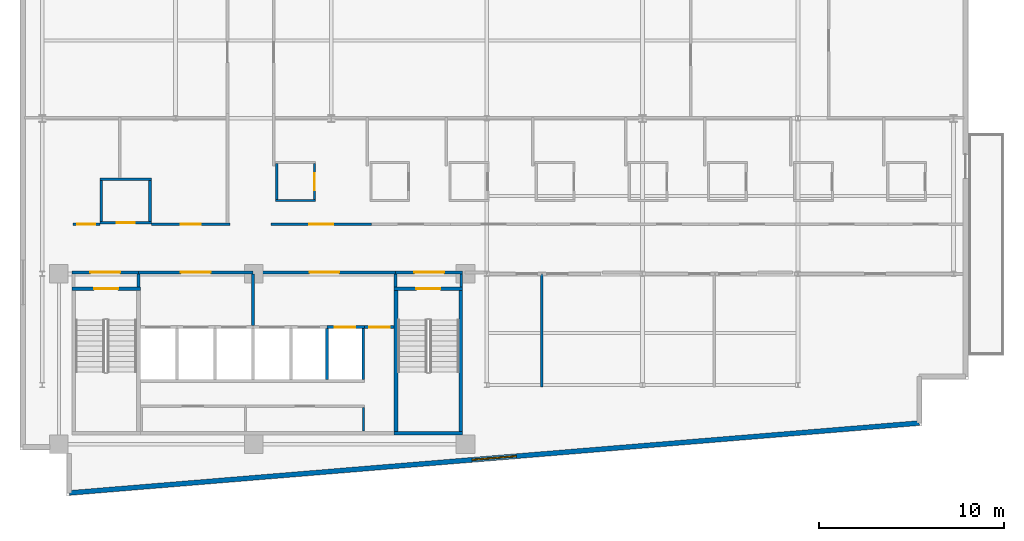
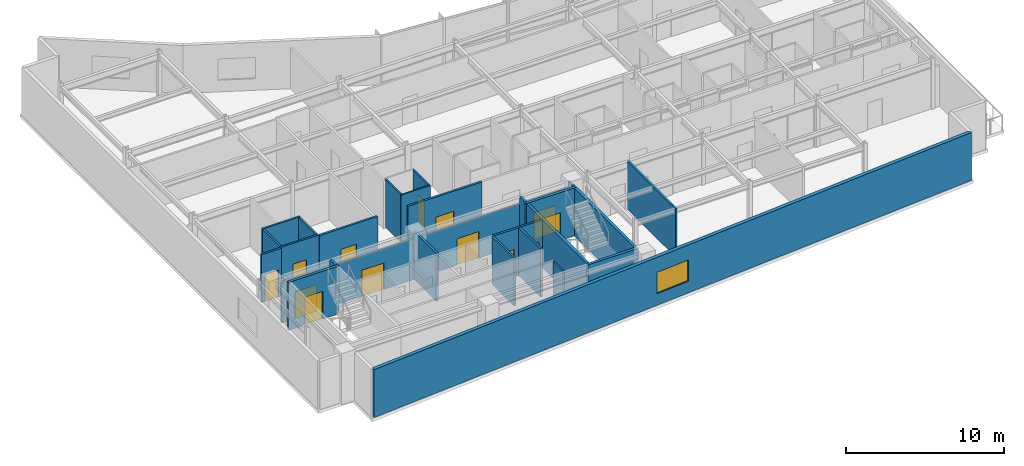
# One storey, part 9 of 15: 30 walls, 13 doors, 1 window, 14 openings.
"""IFC4 building model written with IfcOpenShell, lengths in metres."""

from ifc_helpers import new_model, si_unit, direction, frame, frame_2d, origin, place, context, subcontext, project, spatial, rectangle, extrude, material, layer, layer_set, type_object, element, fill, save


model = new_model("IFC4")

# Units and contexts
model_context = context("Model", 3, precision=1e-05, world=origin(), true_north=direction((0.0, 1.0)))
body_context = subcontext(model_context, "Body", "Model", "MODEL_VIEW")
ifc_project = project(units=[si_unit("LENGTHUNIT", "METRE"), si_unit("AREAUNIT", "SQUARE_METRE"), si_unit("VOLUMEUNIT", "CUBIC_METRE"), si_unit("PLANEANGLEUNIT", "RADIAN"), si_unit("MASSUNIT", "GRAM", prefix="KILO")], contexts=[model_context])

# Site, building, storey
site_placement = place(None, origin())
site = spatial("IfcSite", under=ifc_project, at=site_placement, CompositionType="ELEMENT")
building_placement = place(site_placement, origin())
building = spatial("IfcBuilding", under=site, at=building_placement, Name="Varnakote Quay Hospital", CompositionType="ELEMENT")
storey_placement = place(building_placement, frame((0.0, 0.0, 192.10009765625)))
storey = spatial("IfcBuildingStorey", under=building, at=storey_placement, Name="L47", CompositionType="ELEMENT", Elevation=192.10009765625)

# Wall, opening, door
ifc_material_1 = material(Name="Fire-rated acoustic gypsum stud wall", Category="gypsum")
ifc_layer_1 = layer(ifc_material_1, 0.159912109375)
ifc_layer_set_1 = layer_set([ifc_layer_1], Name="Fire-rated acoustic gypsum stud wall")
wall_type_1 = type_object("IfcWallType", Name="WL-COMP-160", PredefinedType="PARTITIONING", material=ifc_layer_set_1)
wall_1_placement = place(storey_placement, frame((2.800048828125, 12.080078125, 0.0), z_axis=(0.0, 0.0, 1.0), x_axis=(1.0, 0.0, 0.0)))
wall_1 = element("IfcWall", 1, at=wall_1_placement, inside=storey, type_object=wall_type_1, Name="L47 West Stair Vestibule Smoke Wall", PredefinedType="PARTITIONING", context=body_context, shape_type="SweptSolid", body=[
    extrude(rectangle(XDim=3.599853515625, YDim=0.159912109375, at=frame_2d((1.7998046875, 0.0))), origin(), (0.0, 0.0, 1.0), 3.15185546875),
])
opening_1_placement = place(wall_1_placement, frame((1.0, 0.0, 0.0)))
opening_1 = element("IfcOpeningElement", 2, at=opening_1_placement, cuts=wall_1, Name="Opening D-ST1L-L47", PredefinedType="OPENING", context=body_context, shape_type="SweptSolid", body=[
    extrude(rectangle(XDim=1.60009765625, YDim=2.050048828125, at=frame_2d((0.800048828125, 1.02490234375))), frame((0.0, 0.08984375, 0.0), z_axis=(0.0, -1.0, 0.0), x_axis=(1.0, 0.0, 0.0)), (0.0, 0.0, 1.0), 0.179931640625),
])
ifc_material_2 = material(Name="Fire-rated double smoke lobby door")
door_type_1 = type_object("IfcDoorType", Name="DR-LOBBY-FD60S-1600x2150", OperationType="NOTDEFINED", PredefinedType="DOOR", material=ifc_material_2)
door_1_placement = place(opening_1_placement, origin())
door_1 = element("IfcDoor", 3, at=door_1_placement, inside=storey, type_object=door_type_1, Name="L47 West Stair Vestibule Smoke Door", OperationType="DOUBLE_DOOR_SINGLE_SWING", OverallHeight=2.050048828125, OverallWidth=1.60009765625, PredefinedType="DOOR", context=body_context, shape_type="SweptSolid", body=[
    extrude(rectangle(XDim=1.60009765625, YDim=2.050048828125, at=frame_2d((0.800048828125, 1.02490234375))), frame((0.0, 0.02490234375, 0.0), z_axis=(0.0, -1.0, 0.0), x_axis=(1.0, 0.0, 0.0)), (0.0, 0.0, 1.0), 0.050048828125),
])
fill(opening_1, door_1)

# Wall
wall_2_placement = place(storey_placement, frame((6.39990234375, 11.300048828125, 0.0), z_axis=(0.0, 0.0, 1.0), x_axis=(0.0, 1.0, 0.0)))
element("IfcWall", 4, at=wall_2_placement, inside=storey, type_object=wall_type_1, Name="L47 Firefighting Lobby West Wall", PredefinedType="PARTITIONING", context=body_context, shape_type="SweptSolid", body=[
    extrude(rectangle(XDim=0.699951171875, YDim=0.159912109375, at=frame_2d((0.35009765625, 0.0))), origin(), (0.0, 0.0, 1.0), 3.7099609375),
])

# Wall, opening, door
wall_3_placement = place(storey_placement, frame((6.39990234375, 12.080078125, 0.0), z_axis=(0.0, 0.0, 1.0), x_axis=(1.0, 0.0, 0.0)))
wall_3 = element("IfcWall", 5, at=wall_3_placement, inside=storey, type_object=wall_type_1, Name="L47 Firefighting Lift Lobby Compartment Wall", PredefinedType="PARTITIONING", context=body_context, shape_type="SweptSolid", body=[
    extrude(rectangle(XDim=6.18017578125, YDim=0.159912109375, at=frame_2d((3.090087890625, 0.0))), origin(), (0.0, 0.0, 1.0), 3.15185546875),
])
opening_2_placement = place(wall_3_placement, frame((2.2900390625, 0.0, 0.0)))
opening_2 = element("IfcOpeningElement", 6, at=opening_2_placement, cuts=wall_3, Name="Opening D-FFL-L47", PredefinedType="OPENING", context=body_context, shape_type="SweptSolid", body=[
    extrude(rectangle(XDim=1.60009765625, YDim=2.050048828125, at=frame_2d((0.800048828125, 1.02490234375))), frame((0.0, 0.08984375, 0.0), z_axis=(0.0, -1.0, 0.0), x_axis=(1.0, 0.0, 0.0)), (0.0, 0.0, 1.0), 0.179931640625),
])
door_2_placement = place(opening_2_placement, origin())
door_2 = element("IfcDoor", 7, at=door_2_placement, inside=storey, type_object=door_type_1, Name="L47 Firefighting Smoke Vestibule Door", OperationType="DOUBLE_DOOR_SINGLE_SWING", OverallHeight=2.050048828125, OverallWidth=1.60009765625, PredefinedType="DOOR", context=body_context, shape_type="SweptSolid", body=[
    extrude(rectangle(XDim=1.60009765625, YDim=2.050048828125, at=frame_2d((0.800048828125, 1.02490234375))), frame((0.0, 0.02490234375, 0.0), z_axis=(0.0, -1.0, 0.0), x_axis=(1.0, 0.0, 0.0)), (0.0, 0.0, 1.0), 0.050048828125),
])
fill(opening_2, door_2)

# Wall
wall_4_placement = place(storey_placement, frame((12.580078125, 9.2099609375, 0.0), z_axis=(0.0, 0.0, 1.0), x_axis=(0.0, 1.0, 0.0)))
element("IfcWall", 8, at=wall_4_placement, inside=storey, type_object=wall_type_1, Name="L47 Firefighting to Service Lobby Wall", PredefinedType="PARTITIONING", context=body_context, shape_type="SweptSolid", body=[
    extrude(rectangle(XDim=2.7900390625, YDim=0.159912109375, at=frame_2d((1.39501953125, 0.0))), origin(), (0.0, 0.0, 1.0), 3.7099609375),
])

# Wall, opening, door
wall_5_placement = place(storey_placement, frame((12.580078125, 12.080078125, 0.0), z_axis=(0.0, 0.0, 1.0), x_axis=(1.0, 0.0, 0.0)))
wall_5 = element("IfcWall", 9, at=wall_5_placement, inside=storey, type_object=wall_type_1, Name="L47 Clinical Bed Lift Lobby Wall", PredefinedType="PARTITIONING", context=body_context, shape_type="SweptSolid", body=[
    extrude(rectangle(XDim=7.699951171875, YDim=0.159912109375, at=frame_2d((3.85009765625, 0.0))), origin(), (0.0, 0.0, 1.0), 3.15185546875),
])
opening_3_placement = place(wall_5_placement, frame((3.050048828125, 0.0, 0.0)))
opening_3 = element("IfcOpeningElement", 10, at=opening_3_placement, cuts=wall_5, Name="Opening D-SVL-L47", PredefinedType="OPENING", context=body_context, shape_type="SweptSolid", body=[
    extrude(rectangle(XDim=1.60009765625, YDim=2.050048828125, at=frame_2d((0.800048828125, 1.02490234375))), frame((0.0, 0.08984375, 0.0), z_axis=(0.0, -1.0, 0.0), x_axis=(1.0, 0.0, 0.0)), (0.0, 0.0, 1.0), 0.179931640625),
])
door_3_placement = place(opening_3_placement, origin())
door_3 = element("IfcDoor", 11, at=door_3_placement, inside=storey, type_object=door_type_1, Name="L47 Clinical Core Smoke Vestibule Door", OperationType="DOUBLE_DOOR_SINGLE_SWING", OverallHeight=2.050048828125, OverallWidth=1.60009765625, PredefinedType="DOOR", context=body_context, shape_type="SweptSolid", body=[
    extrude(rectangle(XDim=1.60009765625, YDim=2.050048828125, at=frame_2d((0.800048828125, 1.02490234375))), frame((0.0, 0.02490234375, 0.0), z_axis=(0.0, -1.0, 0.0), x_axis=(1.0, 0.0, 0.0)), (0.0, 0.0, 1.0), 0.050048828125),
])
fill(opening_3, door_3)

# Wall
wall_6_placement = place(storey_placement, frame((20.280029296875, 11.300048828125, 0.0), z_axis=(0.0, 0.0, 1.0), x_axis=(0.0, 1.0, 0.0)))
element("IfcWall", 12, at=wall_6_placement, inside=storey, type_object=wall_type_1, Name="L47 East Stair Vestibule Divider Wall", PredefinedType="PARTITIONING", context=body_context, shape_type="SweptSolid", body=[
    extrude(rectangle(XDim=0.699951171875, YDim=0.159912109375, at=frame_2d((0.35009765625, 0.0))), origin(), (0.0, 0.0, 1.0), 3.7099609375),
])

# Wall, opening, door
wall_7_placement = place(storey_placement, frame((20.280029296875, 12.080078125, 0.0), z_axis=(0.0, 0.0, 1.0), x_axis=(1.0, 0.0, 0.0)))
wall_7 = element("IfcWall", 13, at=wall_7_placement, inside=storey, type_object=wall_type_1, Name="L47 East Stair Vestibule Smoke Wall", PredefinedType="PARTITIONING", context=body_context, shape_type="SweptSolid", body=[
    extrude(rectangle(XDim=3.619873046875, YDim=0.159912109375, at=frame_2d((1.81005859375, 0.0))), origin(), (0.0, 0.0, 1.0), 3.15185546875),
])
opening_4_placement = place(wall_7_placement, frame((1.010009765625, 0.0, 0.0)))
opening_4 = element("IfcOpeningElement", 14, at=opening_4_placement, cuts=wall_7, Name="Opening D-ST2L-L47", PredefinedType="OPENING", context=body_context, shape_type="SweptSolid", body=[
    extrude(rectangle(XDim=1.60009765625, YDim=2.050048828125, at=frame_2d((0.800048828125, 1.02490234375))), frame((0.0, 0.08984375, 0.0), z_axis=(0.0, -1.0, 0.0), x_axis=(1.0, 0.0, 0.0)), (0.0, 0.0, 1.0), 0.179931640625),
])
door_4_placement = place(opening_4_placement, origin())
door_4 = element("IfcDoor", 15, at=door_4_placement, inside=storey, type_object=door_type_1, Name="L47 East Stair Vestibule Smoke Door", OperationType="DOUBLE_DOOR_SINGLE_SWING", OverallHeight=2.050048828125, OverallWidth=1.60009765625, PredefinedType="DOOR", context=body_context, shape_type="SweptSolid", body=[
    extrude(rectangle(XDim=1.60009765625, YDim=2.050048828125, at=frame_2d((0.800048828125, 1.02490234375))), frame((0.0, 0.02490234375, 0.0), z_axis=(0.0, -1.0, 0.0), x_axis=(1.0, 0.0, 0.0)), (0.0, 0.0, 1.0), 0.050048828125),
])
fill(opening_4, door_4)

# Walls
wall_8_placement = place(storey_placement, frame((23.820068359375, 11.300048828125, 0.0), z_axis=(0.0, 0.0, 1.0), x_axis=(0.0, 1.0, 0.0)))
element("IfcWall", 16, at=wall_8_placement, inside=storey, type_object=wall_type_1, Name="L47 East Stair Vestibule East Wall", PredefinedType="PARTITIONING", context=body_context, shape_type="SweptSolid", body=[
    extrude(rectangle(XDim=0.699951171875, YDim=0.159912109375, at=frame_2d((0.35009765625, 0.0))), origin(), (0.0, 0.0, 1.0), 3.7099609375),
])
ifc_material_3 = material(Name="Moisture-resistant bathroom partition", Category="gypsum")
ifc_layer_2 = layer(ifc_material_3, 0.114990234375)
ifc_layer_set_2 = layer_set([ifc_layer_2], Name="Moisture-resistant bathroom partition")
wall_type_2 = type_object("IfcWallType", Name="WL-ENS-115", PredefinedType="PARTITIONING", material=ifc_layer_set_2)
wall_9_placement = place(storey_placement, frame((13.804931640625, 15.952392578125, 0.0), z_axis=(0.0, 0.0, 1.0), x_axis=(1.0, 0.0, 0.0)))
element("IfcWall", 17, at=wall_9_placement, inside=storey, type_object=wall_type_2, Name="L47 Inpatient En-Suite Bathroom 01 S Wall", PredefinedType="PARTITIONING", context=body_context, shape_type="SweptSolid", body=[
    extrude(rectangle(XDim=2.150146484375, YDim=0.114990234375, at=frame_2d((1.0751953125, 0.0))), origin(), (0.0, 0.0, 1.0), 3.7099609375),
])
wall_10_placement = place(storey_placement, frame((13.862548828125, 16.010009765625, 0.0), z_axis=(0.0, 0.0, 1.0), x_axis=(0.0, 1.0, 0.0)))
element("IfcWall", 18, at=wall_10_placement, inside=storey, type_object=wall_type_2, Name="L47 Inpatient En-Suite Bathroom 01 W Wall", PredefinedType="PARTITIONING", context=body_context, shape_type="SweptSolid", body=[
    extrude(rectangle(XDim=1.949951171875, YDim=0.114990234375, at=frame_2d((0.97509765625, 0.0))), origin(), (0.0, 0.0, 1.0), 3.7099609375),
])

# Wall, opening, door
wall_11_placement = place(storey_placement, frame((15.8974609375, 16.010009765625, 0.0), z_axis=(0.0, 0.0, 1.0), x_axis=(0.0, 1.0, 0.0)))
wall_11 = element("IfcWall", 19, at=wall_11_placement, inside=storey, type_object=wall_type_2, Name="L47 Inpatient En-Suite Bathroom 01 E Wall", PredefinedType="PARTITIONING", context=body_context, shape_type="SweptSolid", body=[
    extrude(rectangle(XDim=1.949951171875, YDim=0.114990234375, at=frame_2d((0.97509765625, 0.0))), origin(), (0.0, 0.0, 1.0), 3.7099609375),
])
opening_5_placement = place(wall_11_placement, frame((0.514892578125, 0.0, 0.0)))
opening_5 = element("IfcOpeningElement", 20, at=opening_5_placement, cuts=wall_11, Name="Opening D-L47-ENS01", PredefinedType="OPENING", context=body_context, shape_type="SweptSolid", body=[
    extrude(rectangle(XDim=0.919921875, YDim=2.10009765625, at=frame_2d((0.4599609375, 1.050048828125))), frame((0.0, 0.0673828125, 0.0), z_axis=(0.0, -1.0, 0.0), x_axis=(1.0, 0.0, 0.0)), (0.0, 0.0, 1.0), 0.135009765625),
])
ifc_material_4 = material(Name="Moisture-sealed en-suite bathroom door")
door_type_2 = type_object("IfcDoorType", Name="DR-ENS-920x2100", OperationType="NOTDEFINED", PredefinedType="DOOR", material=ifc_material_4)
door_5_placement = place(opening_5_placement, origin())
door_5 = element("IfcDoor", 21, at=door_5_placement, inside=storey, type_object=door_type_2, Name="L47 Inpatient En-Suite Bathroom 01 Door", OperationType="SINGLE_SWING_RIGHT", OverallHeight=2.10009765625, OverallWidth=0.919921875, PredefinedType="DOOR", context=body_context, shape_type="SweptSolid", body=[
    extrude(rectangle(XDim=0.919921875, YDim=2.10009765625, at=frame_2d((0.4599609375, 1.050048828125))), frame((0.0, 0.02490234375, 0.0), z_axis=(0.0, -1.0, 0.0), x_axis=(1.0, 0.0, 0.0)), (0.0, 0.0, 1.0), 0.050048828125),
])
fill(opening_5, door_5)

# Wall, opening, window
ifc_material_5 = material(Name="Precast concrete N50 (f'c 50 MPa)", Category="concrete")
ifc_layer_3 = layer(ifc_material_5, 0.260009765625)
ifc_layer_set_3 = layer_set([ifc_layer_3], Name="Precast concrete N50 (f'c 50 MPa)")
wall_type_3 = type_object("IfcWallType", Name="WL-EXT-BRICK-260", PredefinedType="STANDARD", material=ifc_layer_set_3)
wall_12_placement = place(storey_placement, frame((2.659912109375, 0.173583984375, 0.0), z_axis=(0.0, 0.0, 1.0), x_axis=(0.996634028439, 0.081979347142, 0.0)))
wall_12 = element("IfcWall", 22, at=wall_12_placement, inside=storey, type_object=wall_type_3, Name="L47 Brick-Faced Precast Exterior Wall", PredefinedType="STANDARD", context=body_context, shape_type="SweptSolid", body=[
    extrude(rectangle(XDim=46.03515625, YDim=0.260009765625, at=frame_2d((23.017578125, 0.0))), origin(), (0.0, 0.0, 1.0), 3.7099609375),
])
opening_6_placement = place(wall_12_placement, frame((21.8173828125, 0.0, 0.89990234375)))
opening_6 = element("IfcOpeningElement", 23, at=opening_6_placement, cuts=wall_12, Name="Opening WN-0194", PredefinedType="OPENING", context=body_context, shape_type="SweptSolid", body=[
    extrude(rectangle(XDim=2.39990234375, YDim=1.64990234375, at=frame_2d((1.199951171875, 0.824951171875))), frame((0.0, 0.139892578125, 0.0), z_axis=(0.0, -1.0, 0.0), x_axis=(1.0, 0.0, 0.0)), (0.0, 0.0, 1.0), 0.280029296875),
])
ifc_material_6 = material(Name="Double-glazed low-E solar glass", Category="glass")
window_type = type_object("IfcWindowType", Name="WIN-CLIN-2400x1650", PartitioningType="SINGLE_PANEL", PredefinedType="WINDOW", material=ifc_material_6)
window_placement = place(opening_6_placement, origin())
window = element("IfcWindow", 24, at=window_placement, inside=storey, type_object=window_type, Name="L47 Solar-Control Clinical Window", OverallHeight=1.64990234375, OverallWidth=2.39990234375, PartitioningType="SINGLE_PANEL", PredefinedType="WINDOW", context=body_context, shape_type="SweptSolid", body=[
    extrude(rectangle(XDim=2.39990234375, YDim=1.64990234375, at=frame_2d((1.199951171875, 0.824951171875))), frame((0.0, 0.030029296875, 0.0), z_axis=(0.0, -1.0, 0.0), x_axis=(1.0, 0.0, 0.0)), (0.0, 0.0, 1.0), 0.06005859375),
])
fill(opening_6, window)

# Walls
ifc_material_7 = material(Name="Concrete N50 (f'c 50 MPa)", Category="concrete")
ifc_layer_4 = layer(ifc_material_7, 0.14990234375)
ifc_layer_set_4 = layer_set([ifc_layer_4], Name="Concrete N50 (f'c 50 MPa)")
wall_type_4 = type_object("IfcWallType", Name="WL-SHAFT-N50-150", PredefinedType="SHEAR", material=ifc_layer_set_4)
wall_13_placement = place(storey_placement, frame((16.574951171875, 6.300048828125, 0.0), z_axis=(0.0, 0.0, 1.0), x_axis=(0.0, 1.0, 0.0)))
element("IfcWall", 25, at=wall_13_placement, inside=storey, type_object=wall_type_4, Name="L47 LF-PH1 Hoistway Divider Wall", PredefinedType="SHEAR", context=body_context, shape_type="SweptSolid", body=[
    extrude(rectangle(XDim=2.75, YDim=0.14990234375, at=frame_2d((1.375, 0.0))), origin(), (0.0, 0.0, 1.0), 3.7099609375),
])
ifc_material_8 = material(Name="Concrete N50 (f'c 50 MPa)", Category="concrete")
ifc_layer_5 = layer(ifc_material_8, 0.159912109375)
ifc_layer_set_5 = layer_set([ifc_layer_5], Name="Concrete N50 (f'c 50 MPa)")
wall_type_5 = type_object("IfcWallType", Name="WL-SHAFT-N50-160", PredefinedType="SHEAR", material=ifc_layer_set_5)
wall_14_placement = place(storey_placement, frame((18.530029296875, 6.300048828125, 0.0), z_axis=(0.0, 0.0, 1.0), x_axis=(0.0, 1.0, 0.0)))
element("IfcWall", 26, at=wall_14_placement, inside=storey, type_object=wall_type_5, Name="L47 REAR Lift Bank East Shear Wall", PredefinedType="SHEAR", context=body_context, shape_type="SweptSolid", body=[
    extrude(rectangle(XDim=2.75, YDim=0.159912109375, at=frame_2d((1.375, 0.0))), origin(), (0.0, 0.0, 1.0), 3.7099609375),
])

# Wall, opening, door
wall_15_placement = place(storey_placement, frame((16.574951171875, 9.1298828125, 0.0), z_axis=(0.0, 0.0, 1.0), x_axis=(1.0, 0.0, 0.0)))
wall_15 = element("IfcWall", 27, at=wall_15_placement, inside=storey, type_object=wall_type_5, Name="L47 LF-PH2 Hoistway Front Wall", PredefinedType="SHEAR", context=body_context, shape_type="SweptSolid", body=[
    extrude(rectangle(XDim=2.03515625, YDim=0.159912109375, at=frame_2d((1.017578125, 0.0))), origin(), (0.0, 0.0, 1.0), 3.7099609375),
])
opening_7_placement = place(wall_15_placement, frame((0.425048828125, 0.0, 0.0)))
opening_7 = element("IfcOpeningElement", 28, at=opening_7_placement, cuts=wall_15, Name="Opening LD-PH2-L47", PredefinedType="OPENING", context=body_context, shape_type="SweptSolid", body=[
    extrude(rectangle(XDim=1.10009765625, YDim=2.14990234375, at=frame_2d((0.550048828125, 1.074951171875))), frame((0.0, 0.08984375, 0.0), z_axis=(0.0, -1.0, 0.0), x_axis=(1.0, 0.0, 0.0)), (0.0, 0.0, 1.0), 0.179931640625),
])
ifc_material_9 = material(Name="Brushed bronze lift landing sliding door")
door_type_3 = type_object("IfcDoorType", Name="DR-LIFT-LD-1100x2150", OperationType="NOTDEFINED", PredefinedType="DOOR", material=ifc_material_9)
door_6_placement = place(opening_7_placement, origin())
door_6 = element("IfcDoor", 29, at=door_6_placement, inside=storey, type_object=door_type_3, Name="L47 LF-PH2 Lift Landing Sliding Door", OperationType="SLIDING_TO_LEFT", OverallHeight=2.14990234375, OverallWidth=1.10009765625, PredefinedType="DOOR", context=body_context, shape_type="SweptSolid", body=[
    extrude(rectangle(XDim=1.10009765625, YDim=2.14990234375, at=frame_2d((0.550048828125, 1.074951171875))), frame((0.0, 0.02490234375, 0.0), z_axis=(0.0, -1.0, 0.0), x_axis=(1.0, 0.0, 0.0)), (0.0, 0.0, 1.0), 0.050048828125),
])
fill(opening_7, door_6)

ifc_material_10 = material(Name="Concrete N50 (f'c 50 MPa)", Category="concrete")
ifc_layer_6 = layer(ifc_material_10, 0.199951171875)
ifc_layer_set_6 = layer_set([ifc_layer_6], Name="Concrete N50 (f'c 50 MPa)")
wall_type_6 = type_object("IfcWallType", Name="WL-SHAFT-N50-200", PredefinedType="SHEAR", material=ifc_layer_set_6)
wall_16_placement = place(storey_placement, frame((2.800048828125, 11.199951171875, 0.0), z_axis=(0.0, 0.0, 1.0), x_axis=(1.0, 0.0, 0.0)))
wall_16 = element("IfcWall", 30, at=wall_16_placement, inside=storey, type_object=wall_type_6, Name="L47 Stair ST1 Exit Wall", PredefinedType="SHEAR", context=body_context, shape_type="SweptSolid", body=[
    extrude(rectangle(XDim=3.699951171875, YDim=0.199951171875, at=frame_2d((1.85009765625, 0.0))), origin(), (0.0, 0.0, 1.0), 3.7099609375),
])
opening_8_placement = place(wall_16_placement, frame((1.199951171875, 0.0, 0.0)))
opening_8 = element("IfcOpeningElement", 31, at=opening_8_placement, cuts=wall_16, Name="Opening D-ST1-L47", PredefinedType="OPENING", context=body_context, shape_type="SweptSolid", body=[
    extrude(rectangle(XDim=1.300048828125, YDim=2.14990234375, at=frame_2d((0.64990234375, 1.074951171875))), frame((0.0, 0.10986328125, 0.0), z_axis=(0.0, -1.0, 0.0), x_axis=(1.0, 0.0, 0.0)), (0.0, 0.0, 1.0), 0.219970703125),
])
ifc_material_11 = material(Name="Fire-rated ceramic-glazed timber exit door", Category="wood")
door_type_4 = type_object("IfcDoorType", Name="DR-STAIR-FD60S-1300x2150", OperationType="NOTDEFINED", PredefinedType="DOOR", material=ifc_material_11)
door_7_placement = place(opening_8_placement, origin())
door_7 = element("IfcDoor", 32, at=door_7_placement, inside=storey, type_object=door_type_4, Name="L47 Stair ST1 Fire Exit Door", OperationType="SINGLE_SWING_RIGHT", OverallHeight=2.14990234375, OverallWidth=1.300048828125, PredefinedType="DOOR", context=body_context, shape_type="SweptSolid", body=[
    extrude(rectangle(XDim=1.300048828125, YDim=2.14990234375, at=frame_2d((0.64990234375, 1.074951171875))), frame((0.0, 0.02490234375, 0.0), z_axis=(0.0, -1.0, 0.0), x_axis=(1.0, 0.0, 0.0)), (0.0, 0.0, 1.0), 0.050048828125),
])
fill(opening_8, door_7)

# Walls
wall_17_placement = place(storey_placement, frame((20.199951171875, 3.39990234375, 0.0), z_axis=(0.0, 0.0, 1.0), x_axis=(1.0, 0.0, 0.0)))
element("IfcWall", 33, at=wall_17_placement, inside=storey, type_object=wall_type_6, Name="L47 Stair ST2 South Shaft Wall", PredefinedType="SHEAR", context=body_context, shape_type="SweptSolid", body=[
    extrude(rectangle(XDim=3.699951171875, YDim=0.199951171875, at=frame_2d((1.85009765625, 0.0))), origin(), (0.0, 0.0, 1.0), 3.7099609375),
])
for number, where, z_axis, x_axis, name in (
    (34, (20.300048828125, 3.5, 0.0), (0.0, 0.0, 1.0), (0.0, 1.0, 0.0), "L47 Stair ST2 West Shaft Wall"),
    (35, (23.800048828125, 3.5, 0.0), (0.0, 0.0, 1.0), (0.0, 1.0, 0.0), "L47 Stair ST2 East Shaft Wall"),
):
    element("IfcWall", number, at=place(storey_placement, frame(where, z_axis=z_axis, x_axis=x_axis)), inside=storey, type_object=wall_type_6, Name=name, PredefinedType="SHEAR", context=body_context, shape_type="SweptSolid", body=[
        extrude(rectangle(XDim=7.60009765625, YDim=0.199951171875, at=frame_2d((3.800048828125, 0.0))), origin(), (0.0, 0.0, 1.0), 3.7099609375),
    ])

# Wall, opening, door
wall_18_placement = place(storey_placement, frame((20.199951171875, 11.199951171875, 0.0), z_axis=(0.0, 0.0, 1.0), x_axis=(1.0, 0.0, 0.0)))
wall_18 = element("IfcWall", 36, at=wall_18_placement, inside=storey, type_object=wall_type_6, Name="L47 Stair ST2 Exit Wall", PredefinedType="SHEAR", context=body_context, shape_type="SweptSolid", body=[
    extrude(rectangle(XDim=3.699951171875, YDim=0.199951171875, at=frame_2d((1.85009765625, 0.0))), origin(), (0.0, 0.0, 1.0), 3.7099609375),
])
opening_9_placement = place(wall_18_placement, frame((1.199951171875, 0.0, 0.0)))
opening_9 = element("IfcOpeningElement", 37, at=opening_9_placement, cuts=wall_18, Name="Opening D-ST2-L47", PredefinedType="OPENING", context=body_context, shape_type="SweptSolid", body=[
    extrude(rectangle(XDim=1.300048828125, YDim=2.14990234375, at=frame_2d((0.64990234375, 1.074951171875))), frame((0.0, 0.10986328125, 0.0), z_axis=(0.0, -1.0, 0.0), x_axis=(1.0, 0.0, 0.0)), (0.0, 0.0, 1.0), 0.219970703125),
])
door_8_placement = place(opening_9_placement, origin())
door_8 = element("IfcDoor", 38, at=door_8_placement, inside=storey, type_object=door_type_4, Name="L47 Stair ST2 Fire Exit Door", OperationType="SINGLE_SWING_LEFT", OverallHeight=2.14990234375, OverallWidth=1.300048828125, PredefinedType="DOOR", context=body_context, shape_type="SweptSolid", body=[
    extrude(rectangle(XDim=1.300048828125, YDim=2.14990234375, at=frame_2d((0.64990234375, 1.074951171875))), frame((0.0, 0.02490234375, 0.0), z_axis=(0.0, -1.0, 0.0), x_axis=(1.0, 0.0, 0.0)), (0.0, 0.0, 1.0), 0.050048828125),
])
fill(opening_9, door_8)

# Walls
ifc_material_12 = material(Name="Smoke-proof clinical partition", Category="gypsum")
ifc_layer_7 = layer(ifc_material_12, 0.1201171875)
ifc_layer_set_7 = layer_set([ifc_layer_7], Name="Smoke-proof clinical partition")
wall_type_7 = type_object("IfcWallType", Name="WL-SMOKE-120", PredefinedType="PARTITIONING", material=ifc_layer_set_7)
wall_19_placement = place(storey_placement, frame((18.5400390625, 3.52001953125, 0.0), z_axis=(0.0, 0.0, 1.0), x_axis=(0.0, 1.0, 0.0)))
element("IfcWall", 39, at=wall_19_placement, inside=storey, type_object=wall_type_7, Name="L47 Core South Service East Wall", PredefinedType="PARTITIONING", context=body_context, shape_type="SweptSolid", body=[
    extrude(rectangle(XDim=1.260009765625, YDim=0.1201171875, at=frame_2d((0.6298828125, 0.0))), origin(), (0.0, 0.0, 1.0), 3.7099609375),
])
ifc_material_13 = material(Name="Smoke-proof clinical partition", Category="gypsum")
ifc_layer_8 = layer(ifc_material_13, 0.135009765625)
ifc_layer_set_8 = layer_set([ifc_layer_8], Name="Smoke-proof clinical partition")
wall_type_8 = type_object("IfcWallType", Name="WL-SMOKE-135", PredefinedType="PARTITIONING", material=ifc_layer_set_8)
wall_20_placement = place(storey_placement, frame((28.159912109375, 5.89990234375, 0.0), z_axis=(0.0, 0.0, 1.0), x_axis=(0.0, 1.0, 0.0)))
element("IfcWall", 40, at=wall_20_placement, inside=storey, type_object=wall_type_8, Name="L47 Clinical Interior Partition", PredefinedType="PARTITIONING", context=body_context, shape_type="SweptSolid", body=[
    extrude(rectangle(XDim=6.10009765625, YDim=0.135009765625, at=frame_2d((3.050048828125, 0.0))), origin(), (0.0, 0.0, 1.0), 3.7099609375),
])

# Wall, opening, door
ifc_material_14 = material(Name="Fire-rated clinical gypsum partition", Category="gypsum")
ifc_layer_9 = layer(ifc_material_14, 0.139892578125)
ifc_layer_set_9 = layer_set([ifc_layer_9], Name="Fire-rated clinical gypsum partition")
wall_type_9 = type_object("IfcWallType", Name="WL-WARD-140", PredefinedType="PARTITIONING", material=ifc_layer_set_9)
wall_21_placement = place(storey_placement, frame((18.610107421875, 9.1298828125, 0.0), z_axis=(0.0, 0.0, 1.0), x_axis=(1.0, 0.0, 0.0)))
wall_21 = element("IfcWall", 41, at=wall_21_placement, inside=storey, type_object=wall_type_9, Name="L47 Core Service Corridor North Door Wall", PredefinedType="PARTITIONING", context=body_context, shape_type="SweptSolid", body=[
    extrude(rectangle(XDim=1.58984375, YDim=0.139892578125, at=frame_2d((0.794921875, 0.0))), origin(), (0.0, 0.0, 1.0), 3.7099609375),
])
opening_10_placement = place(wall_21_placement, frame((0.239990234375, 0.0, 0.0)))
opening_10 = element("IfcOpeningElement", 42, at=opening_10_placement, cuts=wall_21, Name="Opening D-CSRV-L47", PredefinedType="OPENING", context=body_context, shape_type="SweptSolid", body=[
    extrude(rectangle(XDim=1.10009765625, YDim=2.10009765625, at=frame_2d((0.550048828125, 1.050048828125))), frame((0.0, 0.079833984375, 0.0), z_axis=(0.0, -1.0, 0.0), x_axis=(1.0, 0.0, 0.0)), (0.0, 0.0, 1.0), 0.159912109375),
])
ifc_material_15 = material(Name="Acoustic timber clinical consult door", Category="wood")
door_type_5 = type_object("IfcDoorType", Name="DR-CLIN-FD30S-1100x2100", OperationType="NOTDEFINED", PredefinedType="DOOR", material=ifc_material_15)
door_9_placement = place(opening_10_placement, origin())
door_9 = element("IfcDoor", 43, at=door_9_placement, inside=storey, type_object=door_type_5, Name="L47 Core Service Corridor Door", OperationType="SINGLE_SWING_RIGHT", OverallHeight=2.10009765625, OverallWidth=1.10009765625, PredefinedType="DOOR", context=body_context, shape_type="SweptSolid", body=[
    extrude(rectangle(XDim=1.10009765625, YDim=2.10009765625, at=frame_2d((0.550048828125, 1.050048828125))), frame((0.0, 0.02490234375, 0.0), z_axis=(0.0, -1.0, 0.0), x_axis=(1.0, 0.0, 0.0)), (0.0, 0.0, 1.0), 0.050048828125),
])
fill(opening_10, door_9)

wall_22_placement = place(storey_placement, frame((4.31005859375, 14.77001953125, 0.0), z_axis=(0.0, 0.0, 1.0), x_axis=(1.0, 0.0, 0.0)))
wall_22 = element("IfcWall", 44, at=wall_22_placement, inside=storey, type_object=wall_type_9, Name="L47 Floor Unisex Accessible WC S Wall", PredefinedType="PARTITIONING", context=body_context, shape_type="SweptSolid", body=[
    extrude(rectangle(XDim=2.780029296875, YDim=0.139892578125, at=frame_2d((1.39013671875, 0.0))), origin(), (0.0, 0.0, 1.0), 3.7099609375),
])
opening_11_placement = place(wall_22_placement, frame((0.89990234375, 0.0, 0.0)))
opening_11 = element("IfcOpeningElement", 45, at=opening_11_placement, cuts=wall_22, Name="Opening D-L47-EW01", PredefinedType="OPENING", context=body_context, shape_type="SweptSolid", body=[
    extrude(rectangle(XDim=0.97998046875, YDim=2.10009765625, at=frame_2d((0.489990234375, 1.050048828125))), frame((0.0, 0.079833984375, 0.0), z_axis=(0.0, -1.0, 0.0), x_axis=(1.0, 0.0, 0.0)), (0.0, 0.0, 1.0), 0.159912109375),
])
ifc_material_16 = material(Name="Accessible sanitary compartment door")
door_type_6 = type_object("IfcDoorType", Name="DR-WC-980x2100", OperationType="NOTDEFINED", PredefinedType="DOOR", material=ifc_material_16)
door_10_placement = place(opening_11_placement, origin())
door_10 = element("IfcDoor", 46, at=door_10_placement, inside=storey, type_object=door_type_6, Name="L47 Floor Unisex Accessible WC Door", OperationType="SINGLE_SWING_LEFT", OverallHeight=2.10009765625, OverallWidth=0.97998046875, PredefinedType="DOOR", context=body_context, shape_type="SweptSolid", body=[
    extrude(rectangle(XDim=0.97998046875, YDim=2.10009765625, at=frame_2d((0.489990234375, 1.050048828125))), frame((0.0, 0.02490234375, 0.0), z_axis=(0.0, -1.0, 0.0), x_axis=(1.0, 0.0, 0.0)), (0.0, 0.0, 1.0), 0.050048828125),
])
fill(opening_11, door_10)

# Walls
wall_23_placement = place(storey_placement, frame((4.31005859375, 17.110107421875, 0.0), z_axis=(0.0, 0.0, 1.0), x_axis=(1.0, 0.0, 0.0)))
element("IfcWall", 47, at=wall_23_placement, inside=storey, type_object=wall_type_9, Name="L47 Floor Unisex Accessible WC N Wall", PredefinedType="PARTITIONING", context=body_context, shape_type="SweptSolid", body=[
    extrude(rectangle(XDim=2.780029296875, YDim=0.139892578125, at=frame_2d((1.39013671875, 0.0))), origin(), (0.0, 0.0, 1.0), 3.7099609375),
])
for number, where, z_axis, x_axis, name in (
    (48, (4.3798828125, 14.840087890625, 0.0), (0.0, 0.0, 1.0), (0.0, 1.0, 0.0), "L47 Floor Unisex Accessible WC W Wall"),
    (49, (7.02001953125, 14.840087890625, 0.0), (0.0, 0.0, 1.0), (0.0, 1.0, 0.0), "L47 Floor Unisex Accessible WC E Wall"),
):
    element("IfcWall", number, at=place(storey_placement, frame(where, z_axis=z_axis, x_axis=x_axis)), inside=storey, type_object=wall_type_9, Name=name, PredefinedType="PARTITIONING", context=body_context, shape_type="SweptSolid", body=[
        extrude(rectangle(XDim=2.199951171875, YDim=0.139892578125, at=frame_2d((1.10009765625, 0.0))), origin(), (0.0, 0.0, 1.0), 3.7099609375),
    ])

# Wall, opening, door
ifc_material_17 = material(Name="Fire-rated clinical gypsum partition", Category="gypsum")
ifc_layer_10 = layer(ifc_material_17, 0.14990234375)
ifc_layer_set_10 = layer_set([ifc_layer_10], Name="Fire-rated clinical gypsum partition")
wall_type_10 = type_object("IfcWallType", Name="WL-WARD-150", PredefinedType="PARTITIONING", material=ifc_layer_set_10)
wall_24_placement = place(storey_placement, frame((4.30810546875, 14.679931640625, 0.0), z_axis=(0.0, 0.0, 1.0), x_axis=(-1.0, 0.0, 0.0)))
wall_24 = element("IfcWall", 50, at=wall_24_placement, inside=storey, type_object=wall_type_10, Name="L47 Clinical Interior Partition", PredefinedType="PARTITIONING", context=body_context, shape_type="SweptSolid", body=[
    extrude(rectangle(XDim=1.4580078125, YDim=0.14990234375, at=frame_2d((0.72900390625, 0.0))), origin(), (0.0, 0.0, 1.0), 3.7099609375),
])
opening_12_placement = place(wall_24_placement, frame((0.239013671875, 0.0, 0.0)))
opening_12 = element("IfcOpeningElement", 51, at=opening_12_placement, cuts=wall_24, Name="Opening D-L47-MD01", PredefinedType="OPENING", context=body_context, shape_type="SweptSolid", body=[
    extrude(rectangle(XDim=0.97998046875, YDim=2.10009765625, at=frame_2d((0.489990234375, 1.050048828125))), frame((0.0, 0.0849609375, 0.0), z_axis=(0.0, -1.0, 0.0), x_axis=(1.0, 0.0, 0.0)), (0.0, 0.0, 1.0), 0.169921875),
])
door_11_placement = place(opening_12_placement, origin())
door_11 = element("IfcDoor", 52, at=door_11_placement, inside=storey, type_object=door_type_6, Name="L47 Ward Nurse Station Office Door", OperationType="SINGLE_SWING_LEFT", OverallHeight=2.10009765625, OverallWidth=0.97998046875, PredefinedType="DOOR", context=body_context, shape_type="SweptSolid", body=[
    extrude(rectangle(XDim=0.97998046875, YDim=2.10009765625, at=frame_2d((0.489990234375, 1.050048828125))), frame((0.0, 0.02490234375, 0.0), z_axis=(0.0, -1.0, 0.0), x_axis=(1.0, 0.0, 0.0)), (0.0, 0.0, 1.0), 0.050048828125),
])
fill(opening_12, door_11)

wall_25_placement = place(storey_placement, frame((11.345947265625, 14.679931640625, 0.0), z_axis=(0.0, 0.0, 1.0), x_axis=(-1.0, 0.0, 0.0)))
wall_25 = element("IfcWall", 53, at=wall_25_placement, inside=storey, type_object=wall_type_10, Name="L47 Clinical Interior Partition", PredefinedType="PARTITIONING", context=body_context, shape_type="SweptSolid", body=[
    extrude(rectangle(XDim=4.25390625, YDim=0.14990234375, at=frame_2d((2.126953125, 0.0))), origin(), (0.0, 0.0, 1.0), 3.7099609375),
])
opening_13_placement = place(wall_25_placement, frame((1.576904296875, 0.0, 0.0)))
opening_13 = element("IfcOpeningElement", 54, at=opening_13_placement, cuts=wall_25, Name="Opening D-L47-MD02", PredefinedType="OPENING", context=body_context, shape_type="SweptSolid", body=[
    extrude(rectangle(XDim=1.10009765625, YDim=2.10009765625, at=frame_2d((0.550048828125, 1.050048828125))), frame((0.0, 0.0849609375, 0.0), z_axis=(0.0, -1.0, 0.0), x_axis=(1.0, 0.0, 0.0)), (0.0, 0.0, 1.0), 0.169921875),
])
door_12_placement = place(opening_13_placement, origin())
door_12 = element("IfcDoor", 55, at=door_12_placement, inside=storey, type_object=door_type_5, Name="L47 Cardiology Telemetry Treatment Suite Door", OperationType="SINGLE_SWING_RIGHT", OverallHeight=2.10009765625, OverallWidth=1.10009765625, PredefinedType="DOOR", context=body_context, shape_type="SweptSolid", body=[
    extrude(rectangle(XDim=1.10009765625, YDim=2.10009765625, at=frame_2d((0.550048828125, 1.050048828125))), frame((0.0, 0.02490234375, 0.0), z_axis=(0.0, -1.0, 0.0), x_axis=(1.0, 0.0, 0.0)), (0.0, 0.0, 1.0), 0.050048828125),
])
fill(opening_13, door_12)

wall_26_placement = place(storey_placement, frame((18.966064453125, 14.679931640625, 0.0), z_axis=(0.0, 0.0, 1.0), x_axis=(-1.0, 0.0, 0.0)))
wall_26 = element("IfcWall", 56, at=wall_26_placement, inside=storey, type_object=wall_type_10, Name="L47 Clinical Interior Partition", PredefinedType="PARTITIONING", context=body_context, shape_type="SweptSolid", body=[
    extrude(rectangle(XDim=5.412109375, YDim=0.14990234375, at=frame_2d((2.7060546875, 0.0))), origin(), (0.0, 0.0, 1.0), 3.7099609375),
])
opening_14_placement = place(wall_26_placement, frame((2.055908203125, 0.0, 0.0)))
opening_14 = element("IfcOpeningElement", 57, at=opening_14_placement, cuts=wall_26, Name="Opening D-L47-BR01", PredefinedType="OPENING", context=body_context, shape_type="SweptSolid", body=[
    extrude(rectangle(XDim=1.300048828125, YDim=2.14990234375, at=frame_2d((0.64990234375, 1.074951171875))), frame((0.0, 0.0849609375, 0.0), z_axis=(0.0, -1.0, 0.0), x_axis=(1.0, 0.0, 0.0)), (0.0, 0.0, 1.0), 0.169921875),
])
ifc_material_18 = material(Name="Solid-core timber clinical bed door", Category="wood")
door_type_7 = type_object("IfcDoorType", Name="DR-WARD-FD30S-1300x2150", OperationType="NOTDEFINED", PredefinedType="DOOR", material=ifc_material_18)
door_13_placement = place(opening_14_placement, origin())
door_13 = element("IfcDoor", 58, at=door_13_placement, inside=storey, type_object=door_type_7, Name="L47 Resident Care Bedroom 01 Door", OperationType="SINGLE_SWING_LEFT", OverallHeight=2.14990234375, OverallWidth=1.300048828125, PredefinedType="DOOR", context=body_context, shape_type="SweptSolid", body=[
    extrude(rectangle(XDim=1.300048828125, YDim=2.14990234375, at=frame_2d((0.64990234375, 1.074951171875))), frame((0.0, 0.02490234375, 0.0), z_axis=(0.0, -1.0, 0.0), x_axis=(1.0, 0.0, 0.0)), (0.0, 0.0, 1.0), 0.050048828125),
])
fill(opening_14, door_13)

save(model, "model.ifc")
